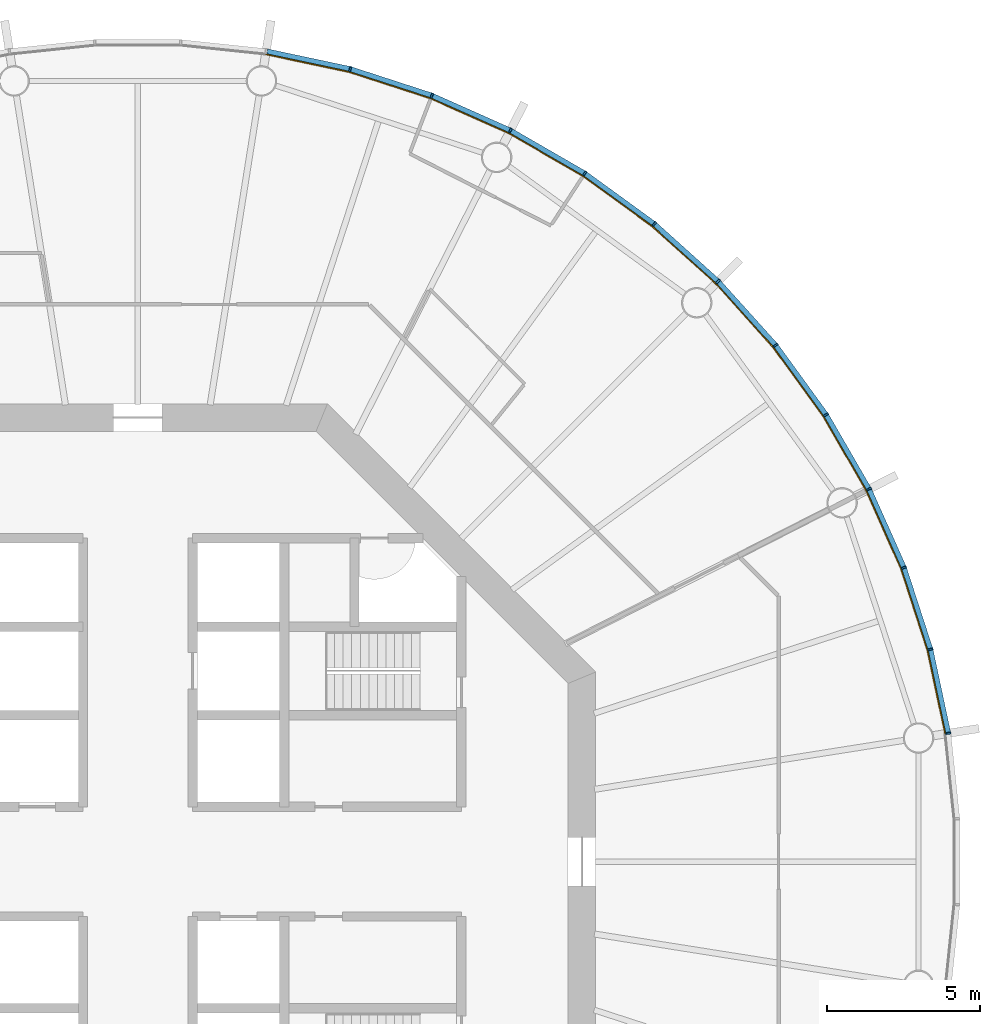
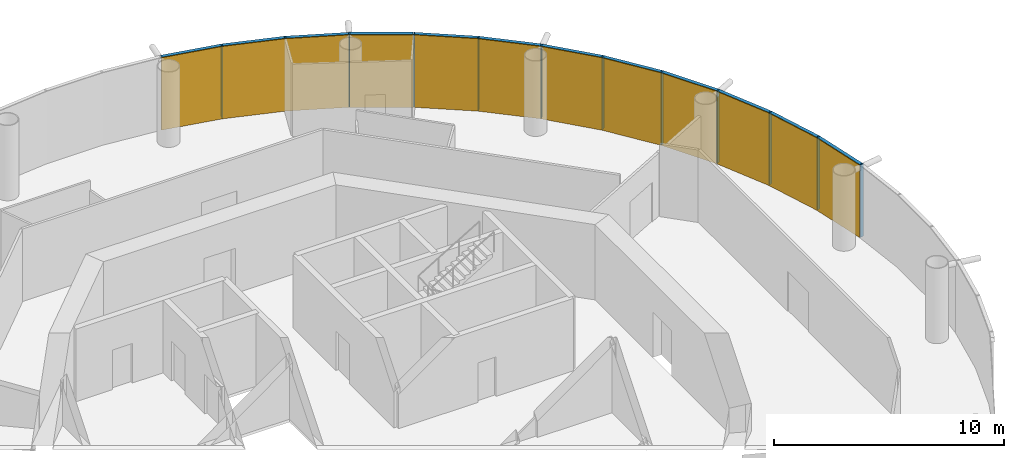
# One storey, part 12 of 13: 24 members, 4 curtain walls.
"""IFC4 building model written with IfcOpenShell, lengths in metres."""

from ifc_helpers import new_model, si_unit, direction, frame, origin, origin_2d, place, context, subcontext, project, spatial, polyline, rectangle, outline, extrude, material, layer, layer_set, material_profile, profile_set, type_object, element, aggregate, save


model = new_model("IFC4")

# Units and contexts
model_context = context("Model", 3, precision=1e-05, world=origin(), true_north=direction((0.0, 1.0)))
body_context = subcontext(model_context, "Body", "Model", "MODEL_VIEW")
ifc_project = project(units=[si_unit("LENGTHUNIT", "METRE"), si_unit("AREAUNIT", "SQUARE_METRE"), si_unit("VOLUMEUNIT", "CUBIC_METRE"), si_unit("PLANEANGLEUNIT", "RADIAN"), si_unit("MASSUNIT", "GRAM", prefix="KILO")], contexts=[model_context])

# Member
ifc_material_1 = material(Name="Anodised aluminium", Category="aluminium")
ifc_material_profile_1 = material_profile(ifc_material_1, rectangle(XDim=0.06005859375, YDim=0.169921875, at=origin_2d()), Name="Mullion 60 x 170 mm anodised aluminium")
ifc_profile_set_1 = profile_set([ifc_material_profile_1], Name="Anodised aluminium")
member_type_1 = type_object("IfcMemberType", Name="Mullion 60 x 170 mm anodised aluminium", PredefinedType="MULLION", material=ifc_profile_set_1)
site_placement = place(None, origin())
building_placement = place(site_placement, origin())
storey_placement = place(building_placement, frame((0.0, 0.0, 258.0)))
member_1_placement = place(storey_placement, frame((116.553955078125, 84.205810546875, 0.0), z_axis=(0.0, 0.0, 1.0), x_axis=(-0.15643446504, 0.987688340595, 0.0)))
member_1 = element("IfcMember", 1, at=member_1_placement, type_object=member_type_1, Name="MULLION L59-00", PredefinedType="MULLION", context=body_context, shape_type="SweptSolid", body=[
    extrude(rectangle(XDim=0.06005859375, YDim=0.169921875, at=origin_2d()), origin(), (0.0, 0.0, 1.0), 3.85009765625),
])

member_2_placement = place(storey_placement, frame((115.968994140625, 86.958251953125, 0.0), z_axis=(0.0, 0.0, 1.0), x_axis=(-0.258819045103, 0.965925826289, 0.0)))
member_2 = element("IfcMember", 2, at=member_2_placement, type_object=member_type_1, Name="MULLION L59-01", PredefinedType="MULLION", context=body_context, shape_type="SweptSolid", body=[
    extrude(rectangle(XDim=0.06005859375, YDim=0.169921875, at=origin_2d()), origin(), (0.0, 0.0, 1.0), 3.85009765625),
])

member_3_placement = place(storey_placement, frame((115.099365234375, 89.634765625, 0.0), z_axis=(0.0, 0.0, 1.0), x_axis=(-0.358367949545, 0.933580426497, 0.0)))
member_3 = element("IfcMember", 3, at=member_3_placement, type_object=member_type_1, Name="MULLION L59-02", PredefinedType="MULLION", context=body_context, shape_type="SweptSolid", body=[
    extrude(rectangle(XDim=0.06005859375, YDim=0.169921875, at=origin_2d()), origin(), (0.0, 0.0, 1.0), 3.85009765625),
])

member_4_placement = place(storey_placement, frame((113.95458984375, 92.20556640625, 0.0), z_axis=(0.0, 0.0, 1.0), x_axis=(-0.45399049974, 0.891006524188, 0.0)))
member_4 = element("IfcMember", 4, at=member_4_placement, type_object=member_type_1, Name="MULLION L59-03", PredefinedType="MULLION", context=body_context, shape_type="SweptSolid", body=[
    extrude(rectangle(XDim=0.06005859375, YDim=0.169921875, at=origin_2d()), origin(), (0.0, 0.0, 1.0), 3.85009765625),
])

member_5_placement = place(storey_placement, frame((112.547607421875, 94.642578125, 0.0), z_axis=(0.0, 0.0, 1.0), x_axis=(-0.544639035015, 0.838670567945, 0.0)))
member_5 = element("IfcMember", 5, at=member_5_placement, type_object=member_type_1, Name="MULLION L59-04", PredefinedType="MULLION", context=body_context, shape_type="SweptSolid", body=[
    extrude(rectangle(XDim=0.06005859375, YDim=0.169921875, at=origin_2d()), origin(), (0.0, 0.0, 1.0), 3.85009765625),
])

member_6_placement = place(storey_placement, frame((110.8935546875, 96.919189453125, 0.0), z_axis=(0.0, 0.0, 1.0), x_axis=(-0.62932039105, 0.777145961457, 0.0)))
member_6 = element("IfcMember", 6, at=member_6_placement, type_object=member_type_1, Name="MULLION L59-05", PredefinedType="MULLION", context=body_context, shape_type="SweptSolid", body=[
    extrude(rectangle(XDim=0.06005859375, YDim=0.169921875, at=origin_2d()), origin(), (0.0, 0.0, 1.0), 3.85009765625),
])

member_7_placement = place(storey_placement, frame((109.010498046875, 99.010498046875, 0.0), z_axis=(0.0, 0.0, 1.0), x_axis=(-0.707106781187, 0.707106781187, 0.0)))
member_7 = element("IfcMember", 7, at=member_7_placement, type_object=member_type_1, Name="MULLION L59-06", PredefinedType="MULLION", context=body_context, shape_type="SweptSolid", body=[
    extrude(rectangle(XDim=0.06005859375, YDim=0.169921875, at=origin_2d()), origin(), (0.0, 0.0, 1.0), 3.85009765625),
])

member_8_placement = place(storey_placement, frame((106.919189453125, 100.8935546875, 0.0), z_axis=(0.0, 0.0, 1.0), x_axis=(-0.777145961457, 0.62932039105, 0.0)))
member_8 = element("IfcMember", 8, at=member_8_placement, type_object=member_type_1, Name="MULLION L59-07", PredefinedType="MULLION", context=body_context, shape_type="SweptSolid", body=[
    extrude(rectangle(XDim=0.06005859375, YDim=0.169921875, at=origin_2d()), origin(), (0.0, 0.0, 1.0), 3.85009765625),
])

member_9_placement = place(storey_placement, frame((104.642578125, 102.547607421875, 0.0), z_axis=(0.0, 0.0, 1.0), x_axis=(-0.838670567945, 0.544639035015, 0.0)))
member_9 = element("IfcMember", 9, at=member_9_placement, type_object=member_type_1, Name="MULLION L59-08", PredefinedType="MULLION", context=body_context, shape_type="SweptSolid", body=[
    extrude(rectangle(XDim=0.06005859375, YDim=0.169921875, at=origin_2d()), origin(), (0.0, 0.0, 1.0), 3.85009765625),
])

member_10_placement = place(storey_placement, frame((102.20556640625, 103.95458984375, 0.0), z_axis=(0.0, 0.0, 1.0), x_axis=(-0.891006524188, 0.45399049974, 0.0)))
member_10 = element("IfcMember", 10, at=member_10_placement, type_object=member_type_1, Name="MULLION L59-09", PredefinedType="MULLION", context=body_context, shape_type="SweptSolid", body=[
    extrude(rectangle(XDim=0.06005859375, YDim=0.169921875, at=origin_2d()), origin(), (0.0, 0.0, 1.0), 3.85009765625),
])

member_11_placement = place(storey_placement, frame((99.634765625, 105.099365234375, 0.0), z_axis=(0.0, 0.0, 1.0), x_axis=(-0.933580426497, 0.358367949545, 0.0)))
member_11 = element("IfcMember", 11, at=member_11_placement, type_object=member_type_1, Name="MULLION L59-10", PredefinedType="MULLION", context=body_context, shape_type="SweptSolid", body=[
    extrude(rectangle(XDim=0.06005859375, YDim=0.169921875, at=origin_2d()), origin(), (0.0, 0.0, 1.0), 3.85009765625),
])

member_12_placement = place(storey_placement, frame((96.958251953125, 105.968994140625, 0.0), z_axis=(0.0, 0.0, 1.0), x_axis=(-0.965925826289, 0.258819045103, 0.0)))
member_12 = element("IfcMember", 12, at=member_12_placement, type_object=member_type_1, Name="MULLION L59-11", PredefinedType="MULLION", context=body_context, shape_type="SweptSolid", body=[
    extrude(rectangle(XDim=0.06005859375, YDim=0.169921875, at=origin_2d()), origin(), (0.0, 0.0, 1.0), 3.85009765625),
])

ifc_material_2 = material(Name="Anodised aluminium", Category="aluminium")
ifc_material_profile_2 = material_profile(ifc_material_2, rectangle(XDim=0.169921875, YDim=0.1650390625, at=origin_2d()), Name="Transom 165 x 170 mm anodised aluminium")
ifc_profile_set_2 = profile_set([ifc_material_profile_2], Name="Anodised aluminium")
member_type_2 = type_object("IfcMemberType", Name="Transom 165 x 170 mm anodised aluminium", PredefinedType="USERDEFINED", material=ifc_profile_set_2)
member_13_placement = place(storey_placement, frame((116.546875, 84.239501953125, 3.767578125), z_axis=(-0.207937468562, 0.97814212115, 0.0), x_axis=(-0.97814212115, -0.207937468562, 0.0)))
member_13 = element("IfcMember", 13, at=member_13_placement, type_object=member_type_2, Name="TRANSOM L59-00", ObjectType="TRANSOM", PredefinedType="USERDEFINED", context=body_context, shape_type="SweptSolid", body=[
    extrude(rectangle(XDim=0.169921875, YDim=0.1650390625, at=origin_2d()), origin(), (0.0, 0.0, 1.0), 2.7451171875),
])

member_14_placement = place(storey_placement, frame((115.95849609375, 86.9912109375, 3.767578125), z_axis=(-0.309041831781, 0.951048445774, 0.0), x_axis=(-0.951048445774, -0.309041831781, 0.0)))
member_14 = element("IfcMember", 14, at=member_14_placement, type_object=member_type_2, Name="TRANSOM L59-01", ObjectType="TRANSOM", PredefinedType="USERDEFINED", context=body_context, shape_type="SweptSolid", body=[
    extrude(rectangle(XDim=0.169921875, YDim=0.1650390625, at=origin_2d()), origin(), (0.0, 0.0, 1.0), 2.7451171875),
])

member_15_placement = place(storey_placement, frame((115.08544921875, 89.666259765625, 3.767578125), z_axis=(-0.406781987391, 0.913525267704, 0.0), x_axis=(-0.913525267704, -0.406781987391, 0.0)))
member_15 = element("IfcMember", 15, at=member_15_placement, type_object=member_type_2, Name="TRANSOM L59-02", ObjectType="TRANSOM", PredefinedType="USERDEFINED", context=body_context, shape_type="SweptSolid", body=[
    extrude(rectangle(XDim=0.169921875, YDim=0.1650390625, at=origin_2d()), origin(), (0.0, 0.0, 1.0), 2.7451171875),
])

member_16_placement = place(storey_placement, frame((113.9375, 92.2353515625, 3.767578125), z_axis=(-0.49998419723, 0.866034527326, 0.0), x_axis=(-0.866034527326, -0.49998419723, 0.0)))
member_16 = element("IfcMember", 16, at=member_16_placement, type_object=member_type_2, Name="TRANSOM L59-03", ObjectType="TRANSOM", PredefinedType="USERDEFINED", context=body_context, shape_type="SweptSolid", body=[
    extrude(rectangle(XDim=0.169921875, YDim=0.1650390625, at=origin_2d()), origin(), (0.0, 0.0, 1.0), 2.7451171875),
])

member_17_placement = place(storey_placement, frame((112.527587890625, 94.670654296875, 3.767578125), z_axis=(-0.587864947412, 0.808959086484, 0.0), x_axis=(-0.808959086484, -0.587864947412, 0.0)))
member_17 = element("IfcMember", 17, at=member_17_placement, type_object=member_type_2, Name="TRANSOM L59-04", ObjectType="TRANSOM", PredefinedType="USERDEFINED", context=body_context, shape_type="SweptSolid", body=[
    extrude(rectangle(XDim=0.169921875, YDim=0.1650390625, at=origin_2d()), origin(), (0.0, 0.0, 1.0), 2.7451171875),
])

member_18_placement = place(storey_placement, frame((110.87060546875, 96.945068359375, 3.767578125), z_axis=(-0.669141598561, 0.743134927907, 0.0), x_axis=(-0.743134927907, -0.669141598561, 0.0)))
member_18 = element("IfcMember", 18, at=member_18_placement, type_object=member_type_2, Name="TRANSOM L59-05", ObjectType="TRANSOM", PredefinedType="USERDEFINED", context=body_context, shape_type="SweptSolid", body=[
    extrude(rectangle(XDim=0.169921875, YDim=0.1650390625, at=origin_2d()), origin(), (0.0, 0.0, 1.0), 2.7451171875),
])

member_19_placement = place(storey_placement, frame((108.985107421875, 99.03369140625, 3.767578125), z_axis=(-0.743134927907, 0.669141598561, 0.0), x_axis=(-0.669141598561, -0.743134927907, 0.0)))
member_19 = element("IfcMember", 19, at=member_19_placement, type_object=member_type_2, Name="TRANSOM L59-06", ObjectType="TRANSOM", PredefinedType="USERDEFINED", context=body_context, shape_type="SweptSolid", body=[
    extrude(rectangle(XDim=0.169921875, YDim=0.1650390625, at=origin_2d()), origin(), (0.0, 0.0, 1.0), 2.7451171875),
])

member_20_placement = place(storey_placement, frame((106.891357421875, 100.913818359375, 3.767578125), z_axis=(-0.808959086484, 0.587864947412, 0.0), x_axis=(-0.587864947412, -0.808959086484, 0.0)))
member_20 = element("IfcMember", 20, at=member_20_placement, type_object=member_type_2, Name="TRANSOM L59-07", ObjectType="TRANSOM", PredefinedType="USERDEFINED", context=body_context, shape_type="SweptSolid", body=[
    extrude(rectangle(XDim=0.169921875, YDim=0.1650390625, at=origin_2d()), origin(), (0.0, 0.0, 1.0), 2.7451171875),
])

member_21_placement = place(storey_placement, frame((104.61279296875, 102.56494140625, 3.767578125), z_axis=(-0.866034527326, 0.49998419723, 0.0), x_axis=(-0.49998419723, -0.866034527326, 0.0)))
member_21 = element("IfcMember", 21, at=member_21_placement, type_object=member_type_2, Name="TRANSOM L59-08", ObjectType="TRANSOM", PredefinedType="USERDEFINED", context=body_context, shape_type="SweptSolid", body=[
    extrude(rectangle(XDim=0.169921875, YDim=0.1650390625, at=origin_2d()), origin(), (0.0, 0.0, 1.0), 2.7451171875),
])

member_22_placement = place(storey_placement, frame((102.174072265625, 103.96875, 3.767578125), z_axis=(-0.913525267704, 0.406781987391, 0.0), x_axis=(-0.406781987391, -0.913525267704, 0.0)))
member_22 = element("IfcMember", 22, at=member_22_placement, type_object=member_type_2, Name="TRANSOM L59-09", ObjectType="TRANSOM", PredefinedType="USERDEFINED", context=body_context, shape_type="SweptSolid", body=[
    extrude(rectangle(XDim=0.169921875, YDim=0.1650390625, at=origin_2d()), origin(), (0.0, 0.0, 1.0), 2.7451171875),
])

member_23_placement = place(storey_placement, frame((99.60205078125, 105.110107421875, 3.767578125), z_axis=(-0.951048445774, 0.309041831781, 0.0), x_axis=(-0.309041831781, -0.951048445774, 0.0)))
member_23 = element("IfcMember", 23, at=member_23_placement, type_object=member_type_2, Name="TRANSOM L59-10", ObjectType="TRANSOM", PredefinedType="USERDEFINED", context=body_context, shape_type="SweptSolid", body=[
    extrude(rectangle(XDim=0.169921875, YDim=0.1650390625, at=origin_2d()), origin(), (0.0, 0.0, 1.0), 2.7451171875),
])

member_24_placement = place(storey_placement, frame((96.924560546875, 105.97607421875, 3.767578125), z_axis=(-0.97814212115, 0.207937468562, 0.0), x_axis=(-0.207937468562, -0.97814212115, 0.0)))
member_24 = element("IfcMember", 24, at=member_24_placement, type_object=member_type_2, Name="TRANSOM L59-11", ObjectType="TRANSOM", PredefinedType="USERDEFINED", context=body_context, shape_type="SweptSolid", body=[
    extrude(rectangle(XDim=0.169921875, YDim=0.1650390625, at=origin_2d()), origin(), (0.0, 0.0, 1.0), 2.7451171875),
])

# Site, building, storey
site = spatial("IfcSite", under=ifc_project, at=site_placement, CompositionType="ELEMENT")
building = spatial("IfcBuilding", under=site, at=building_placement, Name="Entoto Ring Tower", CompositionType="ELEMENT")
storey = spatial("IfcBuildingStorey", under=building, at=storey_placement, Name="L59", CompositionType="ELEMENT", Elevation=258.0)

# Curtain wall
ifc_material_3 = material(Name="Clear low-iron glass", Category="glass")
ifc_layer = layer(ifc_material_3, 0.031982421875)
ifc_layer_set = layer_set([ifc_layer], Name="Clear low-iron glass")
curtain_wall_type = type_object("IfcCurtainWallType", Name="Curtain wall system CW4 glazing 32 mm", PredefinedType="NOTDEFINED", material=ifc_layer_set)
curtain_wall_1_placement = place(storey_placement, origin())
curtain_wall_1 = element("IfcCurtainWall", 25, at=curtain_wall_1_placement, inside=storey, type_object=curtain_wall_type, Name="CW4 L59-01", PredefinedType="NOTDEFINED", context=body_context, shape_type="SweptSolid", body=[
    extrude(outline(polyline([(116.469970703125, 84.1923828125), (115.88671875, 86.936279296875), (115.02001953125, 89.604248046875), (113.87890625, 92.1669921875), (113.850341796875, 92.15234375), (114.989990234375, 89.5927734375), (115.85595703125, 86.927978515625), (116.4384765625, 84.1875), (116.469970703125, 84.1923828125)])), origin(), (0.0, 0.0, 1.0), 3.85009765625),
])

aggregate(curtain_wall_1, [member_1, member_2, member_3, member_13, member_14, member_15])

curtain_wall_2_placement = place(storey_placement, origin())
curtain_wall_2 = element("IfcCurtainWall", 26, at=curtain_wall_2_placement, inside=storey, type_object=curtain_wall_type, Name="CW4 L59-02", PredefinedType="NOTDEFINED", context=body_context, shape_type="SweptSolid", body=[
    extrude(outline(polyline([(113.87890625, 92.1669921875), (112.476318359375, 94.596435546875), (110.827392578125, 96.86572265625), (108.950439453125, 98.950439453125), (108.927734375, 98.927734375), (110.802490234375, 96.845703125), (112.449462890625, 94.578857421875), (113.850341796875, 92.15234375), (113.87890625, 92.1669921875)])), origin(), (0.0, 0.0, 1.0), 3.85009765625),
])

aggregate(curtain_wall_2, [member_4, member_5, member_6, member_16, member_17, member_18])

curtain_wall_3_placement = place(storey_placement, origin())
curtain_wall_3 = element("IfcCurtainWall", 27, at=curtain_wall_3_placement, inside=storey, type_object=curtain_wall_type, Name="CW4 L59-03", PredefinedType="NOTDEFINED", context=body_context, shape_type="SweptSolid", body=[
    extrude(outline(polyline([(108.950439453125, 98.950439453125), (106.86572265625, 100.827392578125), (104.596435546875, 102.476318359375), (102.1669921875, 103.87890625), (102.15234375, 103.850341796875), (104.578857421875, 102.449462890625), (106.845703125, 100.802490234375), (108.927734375, 98.927734375), (108.950439453125, 98.950439453125)])), origin(), (0.0, 0.0, 1.0), 3.85009765625),
])

aggregate(curtain_wall_3, [member_7, member_8, member_9, member_19, member_20, member_21])

curtain_wall_4_placement = place(storey_placement, origin())
curtain_wall_4 = element("IfcCurtainWall", 28, at=curtain_wall_4_placement, inside=storey, type_object=curtain_wall_type, Name="CW4 L59-04", PredefinedType="NOTDEFINED", context=body_context, shape_type="SweptSolid", body=[
    extrude(outline(polyline([(102.1669921875, 103.87890625), (99.604248046875, 105.02001953125), (96.936279296875, 105.88671875), (94.1923828125, 106.469970703125), (94.1875, 106.4384765625), (96.927978515625, 105.85595703125), (99.5927734375, 104.989990234375), (102.15234375, 103.850341796875), (102.1669921875, 103.87890625)])), origin(), (0.0, 0.0, 1.0), 3.85009765625),
])

aggregate(curtain_wall_4, [member_10, member_11, member_12, member_22, member_23, member_24])

save(model, "model.ifc")
